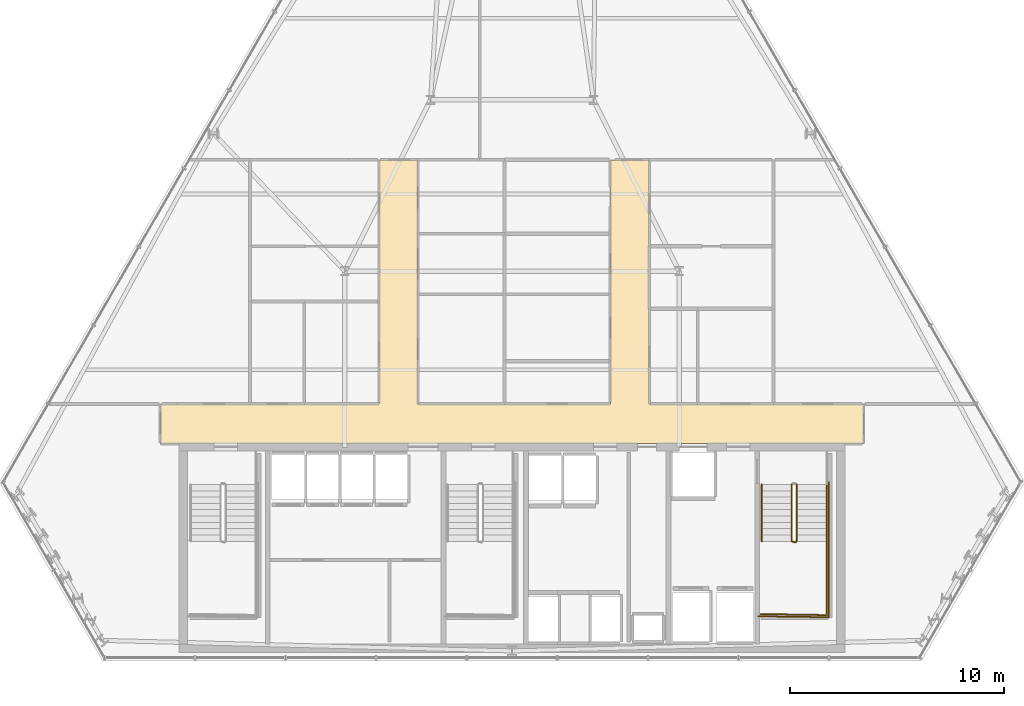
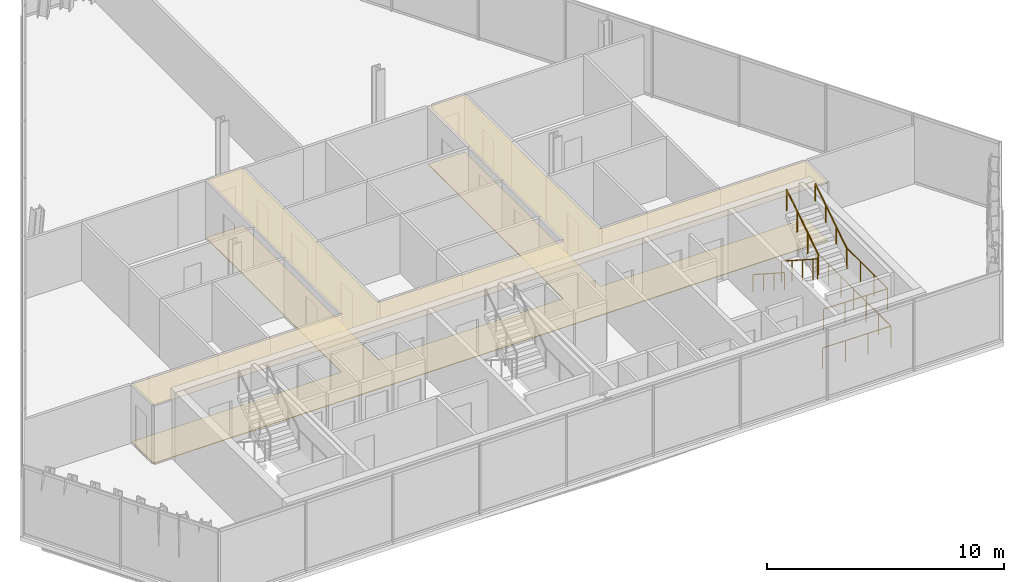
# One storey, part 32 of 33: 6 railings, 2 coverings.
"""IFC4 building model written with IfcOpenShell, lengths in metres."""

from ifc_helpers import new_model, si_unit, direction, frame, origin, origin_2d, place, context, subcontext, project, spatial, polyline, circle, outline, extrude, material, layer, layer_set, type_object, element, save


model = new_model("IFC4")

# Units and contexts
model_context = context("Model", 3, precision=1e-05, world=origin(), true_north=direction((0.0, 1.0)))
body_context = subcontext(model_context, "Body", "Model", "MODEL_VIEW")
ifc_project = project(units=[si_unit("LENGTHUNIT", "METRE"), si_unit("AREAUNIT", "SQUARE_METRE"), si_unit("VOLUMEUNIT", "CUBIC_METRE"), si_unit("PLANEANGLEUNIT", "RADIAN"), si_unit("MASSUNIT", "GRAM", prefix="KILO")], contexts=[model_context])

# Site, building, storey
site_placement = place(None, origin())
site = spatial("IfcSite", under=ifc_project, at=site_placement, CompositionType="ELEMENT")
building_placement = place(site_placement, origin())
building = spatial("IfcBuilding", under=site, at=building_placement, Name="Ndaravel Arena Tower", CompositionType="ELEMENT")
storey_placement = place(building_placement, frame((0.0, 0.0, 187.800048828125)))
storey = spatial("IfcBuildingStorey", under=building, at=storey_placement, Name="L45", CompositionType="ELEMENT", Elevation=187.800048828125)

# Coverings
ifc_material_1 = material(Name="Acoustic Ceiling Tile", Category="finish")
ifc_layer_1 = layer(ifc_material_1, 0.02490234375)
ifc_layer_set_1 = layer_set([ifc_layer_1], Name="Acoustic Ceiling Tile")
covering_type_1 = type_object("IfcCoveringType", Name="COV-CEIL-AC600", PredefinedType="CEILING", material=ifc_layer_set_1)
covering_1_placement = place(storey_placement, frame((0.0, 0.0, 2.98046875)))
element("IfcCovering", 1, at=covering_1_placement, inside=storey, type_object=covering_type_1, Name="L45 Corridor Acoustic Ceiling", PredefinedType="CEILING", context=body_context, shape_type="SweptSolid", body=[
    extrude(outline(polyline([(58.39990234375, 17.0), (48.39990234375, 17.0), (48.39990234375, 28.39990234375), (46.60009765625, 28.39990234375), (46.60009765625, 17.0), (37.60009765625, 17.0), (37.60009765625, 28.39990234375), (35.800048828125, 28.39990234375), (35.800048828125, 17.0), (25.60009765625, 17.0), (25.60009765625, 15.14990234375), (58.39990234375, 15.14990234375), (58.39990234375, 17.0)])), origin(), (0.0, 0.0, 1.0), 0.02490234375),
])
ifc_material_2 = material(Name="Terrazzo", Category="stone")
ifc_layer_2 = layer(ifc_material_2, 0.030029296875)
ifc_layer_set_2 = layer_set([ifc_layer_2], Name="Terrazzo")
covering_type_2 = type_object("IfcCoveringType", Name="COV-FLOOR-TERRAZZO", PredefinedType="FLOORING", material=ifc_layer_set_2)
covering_2_placement = place(storey_placement, origin())
element("IfcCovering", 2, at=covering_2_placement, inside=storey, type_object=covering_type_2, Name="L45 Corridor Terrazzo Flooring", PredefinedType="FLOORING", context=body_context, shape_type="SweptSolid", body=[
    extrude(outline(polyline([(58.39990234375, 17.0), (48.39990234375, 17.0), (48.39990234375, 28.39990234375), (46.60009765625, 28.39990234375), (46.60009765625, 17.0), (37.60009765625, 17.0), (37.60009765625, 28.39990234375), (35.800048828125, 28.39990234375), (35.800048828125, 17.0), (25.60009765625, 17.0), (25.60009765625, 15.14990234375), (58.39990234375, 15.14990234375), (58.39990234375, 17.0)])), origin(), (0.0, 0.0, 1.0), 0.030029296875),
])

# Railings
ifc_material_3 = material(Name="Steel S355", Category="steel")
ifc_layer_3 = layer(ifc_material_3, 0.06005859375)
ifc_layer_set_3 = layer_set([ifc_layer_3], Name="Steel S355")
railing_type_1 = type_object("IfcRailingType", Name="RAIL-STAIR-GD1100", PredefinedType="GUARDRAIL", material=ifc_layer_set_3)
railing_1_placement = place(storey_placement, frame((55.050048828125, 13.25, 0.18994140625)))
element("IfcRailing", 3, at=railing_1_placement, inside=storey, type_object=railing_type_1, Name="L45 ST-3 stair guard 1", PredefinedType="GUARDRAIL", context=body_context, shape_type="SweptSolid", body=[
    extrude(circle(Radius=0.02392578125, at=origin_2d()), frame((0.0, 0.0, 1.076171875), z_axis=(0.0, -0.840723540582, 0.54146461409), x_axis=(1.0, 0.0, 0.0)), (0.0, 0.0, 1.0), 3.157958984375),
    extrude(circle(Radius=0.02392578125, at=origin_2d()), frame((0.0, -2.655029296875, 2.7861328125), z_axis=(0.966993988697, -0.254799187253, 0.0), x_axis=(0.254799187253, 0.966993988697, 0.0)), (0.0, 0.0, 1.0), 0.196533203125),
    extrude(circle(Radius=0.02099609375, at=origin_2d()), origin(), (0.0, 0.0, 1.0), 1.052001953125),
    extrude(circle(Radius=0.02099609375, at=origin_2d()), frame((0.0, -0.885009765625, 0.570068359375)), (0.0, 0.0, 1.0), 1.052001953125),
    extrude(circle(Radius=0.02099609375, at=origin_2d()), frame((0.0, -1.77001953125, 1.139892578125)), (0.0, 0.0, 1.0), 1.052001953125),
    extrude(circle(Radius=0.02099609375, at=origin_2d()), frame((0.0, -2.655029296875, 1.7099609375)), (0.0, 0.0, 1.0), 1.052001953125),
    extrude(circle(Radius=0.02099609375, at=origin_2d()), frame((0.18994140625, -2.705078125, 1.7099609375)), (0.0, 0.0, 1.0), 1.052001953125),
])
railing_2_placement = place(storey_placement, frame((56.68994140625, 10.594970703125, 1.89990234375)))
element("IfcRailing", 4, at=railing_2_placement, inside=storey, type_object=railing_type_1, Name="L45 ST-3 stair guard 2", PredefinedType="GUARDRAIL", context=body_context, shape_type="SweptSolid", body=[
    extrude(circle(Radius=0.02392578125, at=origin_2d()), frame((0.0, 0.0, 1.076171875), z_axis=(0.0, -1.0, 0.0), x_axis=(1.0, 0.0, 0.0)), (0.0, 0.0, 1.0), 3.445068359375),
    extrude(circle(Radius=0.02392578125, at=origin_2d()), frame((0.0, -3.445068359375, 1.076171875), z_axis=(-0.999868840623, 0.016195726322, 0.0), x_axis=(-0.016195726322, -0.999868840623, 0.0)), (0.0, 0.0, 1.0), 3.09033203125),
    extrude(circle(Radius=0.02099609375, at=origin_2d()), origin(), (0.0, 0.0, 1.0), 1.052001953125),
    extrude(circle(Radius=0.02099609375, at=origin_2d()), frame((0.0, -1.1484375, 0.0)), (0.0, 0.0, 1.0), 1.052001953125),
    extrude(circle(Radius=0.02099609375, at=origin_2d()), frame((0.0, -2.296630859375, 0.0)), (0.0, 0.0, 1.0), 1.052001953125),
    extrude(circle(Radius=0.02099609375, at=origin_2d()), frame((0.0, -3.445068359375, 0.0)), (0.0, 0.0, 1.0), 1.052001953125),
    extrude(circle(Radius=0.02099609375, at=origin_2d()), frame((-1.030029296875, -3.428466796875, 0.0)), (0.0, 0.0, 1.0), 1.052001953125),
    extrude(circle(Radius=0.02099609375, at=origin_2d()), frame((-2.059814453125, -3.41162109375, 0.0)), (0.0, 0.0, 1.0), 1.052001953125),
    extrude(circle(Radius=0.02099609375, at=origin_2d()), frame((-3.08984375, -3.39501953125, 0.0)), (0.0, 0.0, 1.0), 1.052001953125),
])
railing_3_placement = place(storey_placement, frame((55.2900390625, 10.594970703125, 2.08984375)))
element("IfcRailing", 5, at=railing_3_placement, inside=storey, type_object=railing_type_1, Name="L45 ST-3 stair guard 3", PredefinedType="GUARDRAIL", context=body_context, shape_type="SweptSolid", body=[
    extrude(circle(Radius=0.02392578125, at=origin_2d()), frame((0.0, 0.0, 1.076171875), z_axis=(0.0, 0.840688348013, 0.541519253134), x_axis=(-1.0, 0.0, 0.0)), (0.0, 0.0, 1.0), 3.158203125),
    extrude(circle(Radius=0.02099609375, at=origin_2d()), origin(), (0.0, 0.0, 1.0), 1.052001953125),
    extrude(circle(Radius=0.02099609375, at=origin_2d()), frame((0.0, 0.885009765625, 0.570068359375)), (0.0, 0.0, 1.0), 1.052001953125),
    extrude(circle(Radius=0.02099609375, at=origin_2d()), frame((0.0, 1.77001953125, 1.14013671875)), (0.0, 0.0, 1.0), 1.052001953125),
    extrude(circle(Radius=0.02099609375, at=origin_2d()), frame((0.0, 2.655029296875, 1.710205078125)), (0.0, 0.0, 1.0), 1.052001953125),
])
railing_4_placement = place(storey_placement, frame((56.7900390625, 13.35009765625, 0.0)))
element("IfcRailing", 6, at=railing_4_placement, inside=storey, type_object=railing_type_1, Name="L45 ST-3 stair guard 6", PredefinedType="GUARDRAIL", context=body_context, shape_type="SweptSolid", body=[
    extrude(circle(Radius=0.02392578125, at=origin_2d()), frame((0.0, 0.0, 1.076171875), z_axis=(0.0, -1.0, 0.0), x_axis=(1.0, 0.0, 0.0)), (0.0, 0.0, 1.0), 6.300048828125),
    extrude(circle(Radius=0.02392578125, at=origin_2d()), frame((0.0, -6.300048828125, 1.076171875), z_axis=(-0.99988431412, 0.015210469308, 0.0), x_axis=(-0.015210469308, -0.99988431412, 0.0)), (0.0, 0.0, 1.0), 3.29052734375),
    extrude(circle(Radius=0.02099609375, at=origin_2d()), origin(), (0.0, 0.0, 1.0), 1.052001953125),
    extrude(circle(Radius=0.02099609375, at=origin_2d()), frame((0.0, -1.050048828125, 0.0)), (0.0, 0.0, 1.0), 1.052001953125),
    extrude(circle(Radius=0.02099609375, at=origin_2d()), frame((0.0, -2.10009765625, 0.0)), (0.0, 0.0, 1.0), 1.052001953125),
    extrude(circle(Radius=0.02099609375, at=origin_2d()), frame((0.0, -3.14990234375, 0.0)), (0.0, 0.0, 1.0), 1.052001953125),
    extrude(circle(Radius=0.02099609375, at=origin_2d()), frame((0.0, -4.199951171875, 0.0)), (0.0, 0.0, 1.0), 1.052001953125),
    extrude(circle(Radius=0.02099609375, at=origin_2d()), frame((0.0, -5.25, 0.0)), (0.0, 0.0, 1.0), 1.052001953125),
    extrude(circle(Radius=0.02099609375, at=origin_2d()), frame((0.0, -6.300048828125, 0.0)), (0.0, 0.0, 1.0), 1.052001953125),
    extrude(circle(Radius=0.02099609375, at=origin_2d()), frame((-1.0966796875, -6.283447265625, 0.0)), (0.0, 0.0, 1.0), 1.052001953125),
    extrude(circle(Radius=0.02099609375, at=origin_2d()), frame((-2.193359375, -6.2666015625, 0.0)), (0.0, 0.0, 1.0), 1.052001953125),
    extrude(circle(Radius=0.02099609375, at=origin_2d()), frame((-3.2900390625, -6.25, 0.0)), (0.0, 0.0, 1.0), 1.052001953125),
])
ifc_material_4 = material(Name="Steel S355", Category="steel")
ifc_layer_4 = layer(ifc_material_4, 0.050048828125)
ifc_layer_set_4 = layer_set([ifc_layer_4], Name="Steel S355")
railing_type_2 = type_object("IfcRailingType", Name="RAIL-STAIR-HR920", PredefinedType="HANDRAIL", material=ifc_layer_set_4)
railing_5_placement = place(storey_placement, frame((53.64990234375, 13.25, 0.18994140625)))
element("IfcRailing", 7, at=railing_5_placement, inside=storey, type_object=railing_type_2, Name="L45 ST-3 stair handrail 1", PredefinedType="HANDRAIL", context=body_context, shape_type="SweptSolid", body=[
    extrude(circle(Radius=0.02392578125, at=origin_2d()), frame((0.0, 0.0, 0.8759765625), z_axis=(0.0, -0.840723540582, 0.54146461409), x_axis=(1.0, 0.0, 0.0)), (0.0, 0.0, 1.0), 3.157958984375),
    extrude(circle(Radius=0.02099609375, at=origin_2d()), origin(), (0.0, 0.0, 1.0), 0.851806640625),
    extrude(circle(Radius=0.02099609375, at=origin_2d()), frame((0.0, -0.885009765625, 0.570068359375)), (0.0, 0.0, 1.0), 0.851806640625),
    extrude(circle(Radius=0.02099609375, at=origin_2d()), frame((0.0, -1.77001953125, 1.139892578125)), (0.0, 0.0, 1.0), 0.851806640625),
    extrude(circle(Radius=0.02099609375, at=origin_2d()), frame((0.0, -2.655029296875, 1.7099609375)), (0.0, 0.0, 1.0), 0.851806640625),
])
railing_6_placement = place(storey_placement, frame((56.68994140625, 10.594970703125, 2.08984375)))
element("IfcRailing", 8, at=railing_6_placement, inside=storey, type_object=railing_type_2, Name="L45 ST-3 stair handrail 2", PredefinedType="HANDRAIL", context=body_context, shape_type="SweptSolid", body=[
    extrude(circle(Radius=0.02392578125, at=origin_2d()), frame((0.0, 0.0, 0.8759765625), z_axis=(0.0, 0.840688348013, 0.541519253134), x_axis=(-1.0, 0.0, 0.0)), (0.0, 0.0, 1.0), 3.158203125),
    extrude(circle(Radius=0.02099609375, at=origin_2d()), origin(), (0.0, 0.0, 1.0), 0.851806640625),
    extrude(circle(Radius=0.02099609375, at=origin_2d()), frame((0.0, 0.885009765625, 0.570068359375)), (0.0, 0.0, 1.0), 0.851806640625),
    extrude(circle(Radius=0.02099609375, at=origin_2d()), frame((0.0, 1.77001953125, 1.14013671875)), (0.0, 0.0, 1.0), 0.851806640625),
    extrude(circle(Radius=0.02099609375, at=origin_2d()), frame((0.0, 2.655029296875, 1.710205078125)), (0.0, 0.0, 1.0), 0.851806640625),
])

save(model, "model.ifc")
